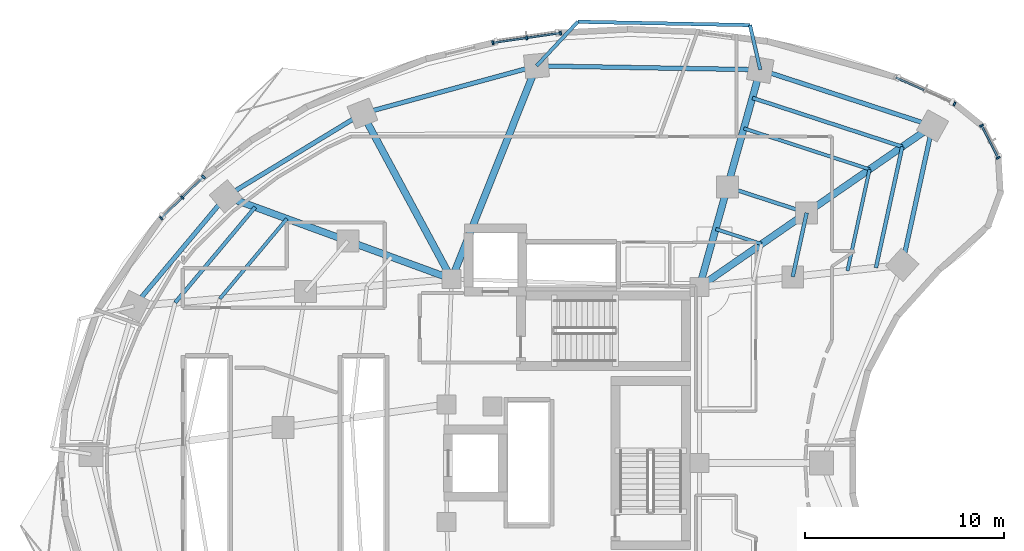
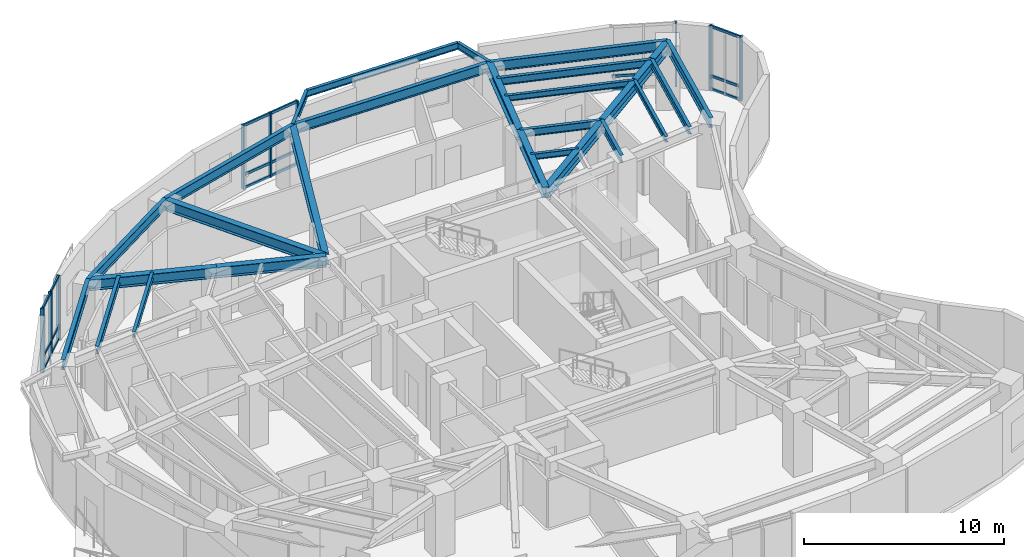
# One storey, part 4 of 13: 26 beams, 26 members, 4 elements without a shape of their own.
"""IFC4 building model written with IfcOpenShell, lengths in metres."""

from ifc_helpers import new_model, si_unit, direction, frame, origin, origin_2d, place, context, subcontext, project, spatial, rectangle, i_section, extrude, material, layer, layer_set, material_profile, profile_set, type_object, element, aggregate, save


model = new_model("IFC4")

# Units and contexts
model_context = context("Model", 3, precision=1e-05, world=origin(), true_north=direction((0.0, 1.0)))
body_context = subcontext(model_context, "Body", "Model", "MODEL_VIEW")
ifc_project = project(units=[si_unit("LENGTHUNIT", "METRE"), si_unit("AREAUNIT", "SQUARE_METRE"), si_unit("VOLUMEUNIT", "CUBIC_METRE"), si_unit("PLANEANGLEUNIT", "RADIAN"), si_unit("MASSUNIT", "GRAM", prefix="KILO")], contexts=[model_context])

# Site, building, storey
site_placement = place(None, origin())
site = spatial("IfcSite", under=ifc_project, at=site_placement, CompositionType="ELEMENT")
building_placement = place(site_placement, origin())
building = spatial("IfcBuilding", under=site, at=building_placement, Name="Korentha Bioscience Tower", CompositionType="ELEMENT")
storey_placement = place(building_placement, frame((0.0, 0.0, 123.60009765625)))
storey = spatial("IfcBuildingStorey", under=building, at=storey_placement, Name="L28", CompositionType="ELEMENT", Elevation=123.60009765625)

# Beams
ifc_material_1 = material(Name="Steel S355", Category="steel")
ifc_material_profile_1 = material_profile(ifc_material_1, i_section(OverallWidth=0.18994140625, OverallDepth=0.45703125, WebThickness=0.009033203125, FlangeThickness=0.014404296875, at=origin_2d()), Name="Steel S355")
ifc_profile_set_1 = profile_set([ifc_material_profile_1], Name="Steel S355 (MB-460)")
beam_type_1 = type_object("IfcBeamType", Name="Mid-Ring Tie Girder W460x74", PredefinedType="BEAM", material=ifc_profile_set_1)
beam_1_placement = place(storey_placement, frame((42.93603515625, 39.57470703125, 3.67138671875), z_axis=(-0.95087582253, 0.309572560361, 0.0), x_axis=(-0.309572560361, -0.95087582253, 0.0)))
element("IfcBeam", 1, at=beam_1_placement, inside=storey, type_object=beam_type_1, Name="L28 Mid-Ring Tie Girder 01", PredefinedType="BEAM", context=body_context, shape_type="SweptSolid", body=[
    extrude(i_section(OverallWidth=0.18994140625, OverallDepth=0.45703125, WebThickness=0.009033203125, FlangeThickness=0.014404296875, at=origin_2d()), origin(), (0.0, 0.0, 1.0), 4.186767578125),
])
beam_2_placement = place(storey_placement, frame((42.235595703125, 36.360595703125, 3.67138671875), z_axis=(0.212928773299, 0.977067724112, 0.0), x_axis=(-0.977067724112, 0.212928773299, 0.0)))
element("IfcBeam", 2, at=beam_2_placement, inside=storey, type_object=beam_type_1, Name="L28 Mid-Ring Tie Girder 16", PredefinedType="BEAM", context=body_context, shape_type="SweptSolid", body=[
    extrude(i_section(OverallWidth=0.18994140625, OverallDepth=0.45703125, WebThickness=0.009033203125, FlangeThickness=0.014404296875, at=origin_2d()), origin(), (0.0, 0.0, 1.0), 3.28955078125),
])

# Curtain wall, member
ifc_material_2 = material(Name="Thermally Broken Aluminium Frame", Category="aluminium")
ifc_layer = layer(ifc_material_2, 0.219970703125, Name="Thermally Broken Aluminium Frame")
ifc_layer_set = layer_set([ifc_layer], Name="Thermally Broken Aluminium Frame (CW-T2)")
curtain_wall_type = type_object("IfcCurtainWallType", Name="Solar-Screened Lab Unitised Curtain Wall CW-T2", PredefinedType="USERDEFINED", material=ifc_layer_set)
curtain_wall_1_placement = place(storey_placement, origin())
curtain_wall_1 = element("IfcCurtainWall", 3, at=curtain_wall_1_placement, inside=storey, type_object=curtain_wall_type, Name="L28 Curtain Wall 01", ObjectType="UNITISED", PredefinedType="USERDEFINED")
ifc_material_3 = material(Name="Anodised Aluminium 6063-T6", Category="aluminium")
ifc_material_profile_2 = material_profile(ifc_material_3, rectangle(XDim=0.090087890625, YDim=0.199951171875, at=origin_2d()), Name="Anodised Aluminium 6063-T6")
ifc_profile_set_2 = profile_set([ifc_material_profile_2], Name="Anodised Aluminium 6063-T6 (CW-MUL)")
member_type_1 = type_object("IfcMemberType", Name="Mullion RECT 90x200", PredefinedType="MULLION", material=ifc_profile_set_2)
member_1_placement = place(storey_placement, frame((50.364013671875, 45.0517578125, 0.0), z_axis=(0.0, 0.0, 1.0), x_axis=(-0.912686563127, 0.408660295952, 0.0)))
member_1 = element("IfcMember", 4, at=member_1_placement, type_object=member_type_1, Name="CW-L28-01 Mullion 1", PredefinedType="MULLION", context=body_context, shape_type="SweptSolid", body=[
    extrude(rectangle(XDim=0.090087890625, YDim=0.199951171875, at=origin_2d()), origin(), (0.0, 0.0, 1.0), 3.89990234375),
])

# Curtain wall, members
curtain_wall_2_placement = place(storey_placement, origin())
curtain_wall_2 = element("IfcCurtainWall", 5, at=curtain_wall_2_placement, inside=storey, type_object=curtain_wall_type, Name="L28 Curtain Wall 07", ObjectType="UNITISED", PredefinedType="USERDEFINED")
member_2_placement = place(storey_placement, frame((30.576416015625, 48.609375, 0.0), z_axis=(0.0, 0.0, 1.0), x_axis=(-0.989738282326, -0.14289203091, 0.0)))
member_2 = element("IfcMember", 6, at=member_2_placement, type_object=member_type_1, Name="CW-L28-07 Mullion 1", PredefinedType="MULLION", context=body_context, shape_type="SweptSolid", body=[
    extrude(rectangle(XDim=0.090087890625, YDim=0.199951171875, at=origin_2d()), origin(), (0.0, 0.0, 1.0), 3.89990234375),
])
member_3_placement = place(storey_placement, frame((28.873291015625, 48.363525390625, 0.0), z_axis=(0.0, 0.0, 1.0), x_axis=(-0.989738282326, -0.14289203091, 0.0)))
member_3 = element("IfcMember", 7, at=member_3_placement, type_object=member_type_1, Name="CW-L28-07 Mullion 2", PredefinedType="MULLION", context=body_context, shape_type="SweptSolid", body=[
    extrude(rectangle(XDim=0.090087890625, YDim=0.199951171875, at=origin_2d()), origin(), (0.0, 0.0, 1.0), 3.89990234375),
])
member_4_placement = place(storey_placement, frame((27.170166015625, 48.11767578125, 0.0), z_axis=(0.0, 0.0, 1.0), x_axis=(-0.989738282326, -0.14289203091, 0.0)))
member_4 = element("IfcMember", 8, at=member_4_placement, type_object=member_type_1, Name="CW-L28-07 Mullion 3", PredefinedType="MULLION", context=body_context, shape_type="SweptSolid", body=[
    extrude(rectangle(XDim=0.090087890625, YDim=0.199951171875, at=origin_2d()), origin(), (0.0, 0.0, 1.0), 3.89990234375),
])

curtain_wall_3_placement = place(storey_placement, origin())
curtain_wall_3 = element("IfcCurtainWall", 9, at=curtain_wall_3_placement, inside=storey, type_object=curtain_wall_type, Name="L28 Curtain Wall 13", ObjectType="UNITISED", PredefinedType="USERDEFINED")
member_5_placement = place(storey_placement, frame((12.631103515625, 41.377197265625, 0.0), z_axis=(0.0, 0.0, 1.0), x_axis=(-0.716095631804, -0.698002182025, 0.0)))
member_5 = element("IfcMember", 10, at=member_5_placement, type_object=member_type_1, Name="CW-L28-13 Mullion 1", PredefinedType="MULLION", context=body_context, shape_type="SweptSolid", body=[
    extrude(rectangle(XDim=0.090087890625, YDim=0.199951171875, at=origin_2d()), origin(), (0.0, 0.0, 1.0), 3.89990234375),
])
member_6_placement = place(storey_placement, frame((11.56689453125, 40.340087890625, 0.0), z_axis=(0.0, 0.0, 1.0), x_axis=(-0.716095631804, -0.698002182025, 0.0)))
member_6 = element("IfcMember", 11, at=member_6_placement, type_object=member_type_1, Name="CW-L28-13 Mullion 2", PredefinedType="MULLION", context=body_context, shape_type="SweptSolid", body=[
    extrude(rectangle(XDim=0.090087890625, YDim=0.199951171875, at=origin_2d()), origin(), (0.0, 0.0, 1.0), 3.89990234375),
])
member_7_placement = place(storey_placement, frame((10.5029296875, 39.302734375, 0.0), z_axis=(0.0, 0.0, 1.0), x_axis=(-0.716095631804, -0.698002182025, 0.0)))
member_7 = element("IfcMember", 12, at=member_7_placement, type_object=member_type_1, Name="CW-L28-13 Mullion 3", PredefinedType="MULLION", context=body_context, shape_type="SweptSolid", body=[
    extrude(rectangle(XDim=0.090087890625, YDim=0.199951171875, at=origin_2d()), origin(), (0.0, 0.0, 1.0), 3.89990234375),
])

curtain_wall_4_placement = place(storey_placement, origin())
curtain_wall_4 = element("IfcCurtainWall", 13, at=curtain_wall_4_placement, inside=storey, type_object=curtain_wall_type, Name="L28 Curtain Wall 61", ObjectType="UNITISED", PredefinedType="USERDEFINED")
member_8_placement = place(storey_placement, frame((52.55859375, 42.337158203125, 0.0), z_axis=(0.0, 0.0, 1.0), x_axis=(-0.457613117169, 0.889151412862, 0.0)))
member_8 = element("IfcMember", 14, at=member_8_placement, type_object=member_type_1, Name="CW-L28-61 Mullion 1", PredefinedType="MULLION", context=body_context, shape_type="SweptSolid", body=[
    extrude(rectangle(XDim=0.090087890625, YDim=0.199951171875, at=origin_2d()), origin(), (0.0, 0.0, 1.0), 3.89990234375),
])
member_9_placement = place(storey_placement, frame((51.722412109375, 43.962158203125, 0.0), z_axis=(0.0, 0.0, 1.0), x_axis=(-0.457613117169, 0.889151412862, 0.0)))
member_9 = element("IfcMember", 15, at=member_9_placement, type_object=member_type_1, Name="CW-L28-61 Mullion 2", PredefinedType="MULLION", context=body_context, shape_type="SweptSolid", body=[
    extrude(rectangle(XDim=0.090087890625, YDim=0.199951171875, at=origin_2d()), origin(), (0.0, 0.0, 1.0), 3.89990234375),
])

# Beams
ifc_material_profile_3 = material_profile(ifc_material_1, i_section(OverallWidth=0.22802734375, OverallDepth=0.60791015625, WebThickness=0.01123046875, FlangeThickness=0.017333984375, at=origin_2d()), Name="Steel S355")
ifc_profile_set_3 = profile_set([ifc_material_profile_3], Name="Steel S355 (SB-610)")
beam_type_2 = type_object("IfcBeamType", Name="Perimeter Ring Spandrel Girder W610x113", PredefinedType="SPANDREL", material=ifc_profile_set_3)
beam_3_placement = place(storey_placement, frame((49.2587890625, 43.947021484375, 3.595947265625), z_axis=(-0.950867758759, 0.309597327755, 0.0), x_axis=(-0.309597327755, -0.950867758759, 0.0)))
element("IfcBeam", 16, at=beam_3_placement, inside=storey, type_object=beam_type_2, Name="L28 Perimeter Spandrel Girder 01", PredefinedType="SPANDREL", context=body_context, shape_type="SweptSolid", body=[
    extrude(i_section(OverallWidth=0.22802734375, OverallDepth=0.60791015625, WebThickness=0.01123046875, FlangeThickness=0.017333984375, at=origin_2d()), origin(), (0.0, 0.0, 1.0), 9.101806640625),
])
beam_4_placement = place(storey_placement, frame((40.604248046875, 46.764892578125, 3.595947265625), z_axis=(-0.999850566826, 0.017287105523, 0.0), x_axis=(-0.017287105523, -0.999850566826, 0.0)))
element("IfcBeam", 17, at=beam_4_placement, inside=storey, type_object=beam_type_2, Name="L28 Perimeter Spandrel Girder 02", PredefinedType="SPANDREL", context=body_context, shape_type="SweptSolid", body=[
    extrude(i_section(OverallWidth=0.22802734375, OverallDepth=0.60791015625, WebThickness=0.01123046875, FlangeThickness=0.017333984375, at=origin_2d()), origin(), (0.0, 0.0, 1.0), 11.24169921875),
])
beam_5_placement = place(storey_placement, frame((29.3642578125, 46.959228515625, 3.595947265625), z_axis=(-0.964659386444, -0.263500034431, 0.0), x_axis=(0.263500034431, -0.964659386444, 0.0)))
element("IfcBeam", 18, at=beam_5_placement, inside=storey, type_object=beam_type_2, Name="L28 Perimeter Spandrel Girder 03", PredefinedType="SPANDREL", context=body_context, shape_type="SweptSolid", body=[
    extrude(i_section(OverallWidth=0.22802734375, OverallDepth=0.60791015625, WebThickness=0.01123046875, FlangeThickness=0.017333984375, at=origin_2d()), origin(), (0.0, 0.0, 1.0), 9.06982421875),
])
beam_6_placement = place(storey_placement, frame((20.614990234375, 44.5693359375, 3.595947265625), z_axis=(-0.854461040474, -0.51951547649, 0.0), x_axis=(0.51951547649, -0.854461040474, 0.0)))
element("IfcBeam", 19, at=beam_6_placement, inside=storey, type_object=beam_type_2, Name="L28 Perimeter Spandrel Girder 04", PredefinedType="SPANDREL", context=body_context, shape_type="SweptSolid", body=[
    extrude(i_section(OverallWidth=0.22802734375, OverallDepth=0.60791015625, WebThickness=0.01123046875, FlangeThickness=0.017333984375, at=origin_2d()), origin(), (0.0, 0.0, 1.0), 8.025146484375),
])
beam_7_placement = place(storey_placement, frame((13.7578125, 40.400146484375, 3.595947265625), z_axis=(-0.642126556076, -0.76659864726, 0.0), x_axis=(0.76659864726, -0.642126556076, 0.0)))
element("IfcBeam", 20, at=beam_7_placement, inside=storey, type_object=beam_type_2, Name="L28 Perimeter Spandrel Girder 05", PredefinedType="SPANDREL", context=body_context, shape_type="SweptSolid", body=[
    extrude(i_section(OverallWidth=0.22802734375, OverallDepth=0.60791015625, WebThickness=0.01123046875, FlangeThickness=0.017333984375, at=origin_2d()), origin(), (0.0, 0.0, 1.0), 7.1884765625),
])
beam_8_placement = place(storey_placement, frame((47.736083984375, 36.959716796875, 3.595947265625), z_axis=(0.212927102256, 0.977068088275, 0.0), x_axis=(-0.977068088275, 0.212927102256, 0.0)))
element("IfcBeam", 21, at=beam_8_placement, inside=storey, type_object=beam_type_2, Name="L28 Perimeter Spandrel Girder 16", PredefinedType="SPANDREL", context=body_context, shape_type="SweptSolid", body=[
    extrude(i_section(OverallWidth=0.22802734375, OverallDepth=0.60791015625, WebThickness=0.01123046875, FlangeThickness=0.017333984375, at=origin_2d()), origin(), (0.0, 0.0, 1.0), 7.1513671875),
])
ifc_material_profile_4 = material_profile(ifc_material_1, i_section(OverallWidth=0.18994140625, OverallDepth=0.45703125, WebThickness=0.009033203125, FlangeThickness=0.014404296875, at=origin_2d()), Name="Steel S355")
ifc_profile_set_4 = profile_set([ifc_material_profile_4], Name="Steel S355 (RB-460)")
beam_type_3 = type_object("IfcBeamType", Name="Radial Laboratory Beam W460x74", PredefinedType="BEAM", material=ifc_profile_set_4)
beam_9_placement = place(storey_placement, frame((47.7412109375, 42.8974609375, 3.67138671875), z_axis=(-0.950866789802, 0.3096003037, 0.0), x_axis=(-0.3096003037, -0.950866789802, 0.0)))
element("IfcBeam", 22, at=beam_9_placement, inside=storey, type_object=beam_type_3, Name="L28 Secondary Floor Beam JSTO-01", PredefinedType="BEAM", context=body_context, shape_type="SweptSolid", body=[
    extrude(i_section(OverallWidth=0.18994140625, OverallDepth=0.45703125, WebThickness=0.009033203125, FlangeThickness=0.014404296875, at=origin_2d()), origin(), (0.0, 0.0, 1.0), 7.921875),
])
beam_10_placement = place(storey_placement, frame((15.227783203125, 39.8623046875, 3.67138671875), z_axis=(-0.642128156066, -0.766597307057, 0.0), x_axis=(0.766597307057, -0.642128156066, 0.0)))
element("IfcBeam", 23, at=beam_10_placement, inside=storey, type_object=beam_type_3, Name="L28 Secondary Floor Beam JSTO-05", PredefinedType="BEAM", context=body_context, shape_type="SweptSolid", body=[
    extrude(i_section(OverallWidth=0.18994140625, OverallDepth=0.45703125, WebThickness=0.009033203125, FlangeThickness=0.014404296875, at=origin_2d()), origin(), (0.0, 0.0, 1.0), 6.257080078125),
])
beam_11_placement = place(storey_placement, frame((46.416015625, 36.81591796875, 3.67138671875), z_axis=(0.21290837934, 0.977072168269, 0.0), x_axis=(-0.977072168269, 0.21290837934, 0.0)))
element("IfcBeam", 24, at=beam_11_placement, inside=storey, type_object=beam_type_3, Name="L28 Secondary Floor Beam JSTO-16", PredefinedType="BEAM", context=body_context, shape_type="SweptSolid", body=[
    extrude(i_section(OverallWidth=0.18994140625, OverallDepth=0.45703125, WebThickness=0.009033203125, FlangeThickness=0.014404296875, at=origin_2d()), origin(), (0.0, 0.0, 1.0), 6.224365234375),
])
ifc_material_profile_5 = material_profile(ifc_material_1, i_section(OverallWidth=0.35009765625, OverallDepth=0.64990234375, WebThickness=0.01611328125, FlangeThickness=0.02490234375, at=origin_2d()), Name="Steel S355")
ifc_profile_set_5 = profile_set([ifc_material_profile_5], Name="Steel S355 (RB-650)")
beam_type_4 = type_object("IfcBeamType", Name="Radial Laboratory Girder CVS 650x208", PredefinedType="BEAM", material=ifc_profile_set_5)
beam_12_placement = place(storey_placement, frame((37.550048828125, 35.85009765625, 3.574951171875), z_axis=(0.822488699387, 0.568781451333, 0.0), x_axis=(-0.568781451333, 0.822488699387, 0.0)))
element("IfcBeam", 25, at=beam_12_placement, inside=storey, type_object=beam_type_4, Name="L28 Inner Radial Girder 01", PredefinedType="BEAM", context=body_context, shape_type="SweptSolid", body=[
    extrude(i_section(OverallWidth=0.35009765625, OverallDepth=0.64990234375, WebThickness=0.01611328125, FlangeThickness=0.02490234375, at=origin_2d()), origin(), (0.0, 0.0, 1.0), 6.54833984375),
])
beam_13_placement = place(storey_placement, frame((42.93603515625, 39.57470703125, 3.574951171875), z_axis=(0.822495056204, 0.568772258922, 0.0), x_axis=(-0.568772258922, 0.822495056204, 0.0)))
element("IfcBeam", 26, at=beam_13_placement, inside=storey, type_object=beam_type_4, Name="L28 Outer Radial Girder 01", PredefinedType="BEAM", context=body_context, shape_type="SweptSolid", body=[
    extrude(i_section(OverallWidth=0.35009765625, OverallDepth=0.64990234375, WebThickness=0.01611328125, FlangeThickness=0.02490234375, at=origin_2d()), origin(), (0.0, 0.0, 1.0), 7.687255859375),
])
beam_14_placement = place(storey_placement, frame((37.550048828125, 35.85009765625, 3.574951171875), z_axis=(0.269447542125, 0.96301506844, 0.0), x_axis=(-0.96301506844, 0.269447542125, 0.0)))
element("IfcBeam", 27, at=beam_14_placement, inside=storey, type_object=beam_type_4, Name="L28 Inner Radial Girder 02", PredefinedType="BEAM", context=body_context, shape_type="SweptSolid", body=[
    extrude(i_section(OverallWidth=0.35009765625, OverallDepth=0.64990234375, WebThickness=0.01611328125, FlangeThickness=0.02490234375, at=origin_2d()), origin(), (0.0, 0.0, 1.0), 5.213623046875),
])
beam_15_placement = place(storey_placement, frame((38.954833984375, 40.870849609375, 3.574951171875), z_axis=(0.269490843458, 0.963002951861, 0.0), x_axis=(-0.963002951861, 0.269490843458, 0.0)))
element("IfcBeam", 28, at=beam_15_placement, inside=storey, type_object=beam_type_4, Name="L28 Outer Radial Girder 02", PredefinedType="BEAM", context=body_context, shape_type="SweptSolid", body=[
    extrude(i_section(OverallWidth=0.35009765625, OverallDepth=0.64990234375, WebThickness=0.01611328125, FlangeThickness=0.02490234375, at=origin_2d()), origin(), (0.0, 0.0, 1.0), 6.120361328125),
])
beam_16_placement = place(storey_placement, frame((25.10009765625, 36.25, 3.574951171875), z_axis=(0.369929528493, 0.929059817207, 0.0), x_axis=(-0.929059817207, 0.369929528493, 0.0)))
element("IfcBeam", 29, at=beam_16_placement, inside=storey, type_object=beam_type_4, Name="L28 Radial Girder 03", PredefinedType="BEAM", context=body_context, shape_type="SweptSolid", body=[
    extrude(i_section(OverallWidth=0.35009765625, OverallDepth=0.64990234375, WebThickness=0.01611328125, FlangeThickness=0.02490234375, at=origin_2d()), origin(), (0.0, 0.0, 1.0), 11.52685546875),
])
beam_17_placement = place(storey_placement, frame((25.10009765625, 36.25, 3.574951171875), z_axis=(-0.474548018732, 0.880229616587, 0.0), x_axis=(-0.880229616587, -0.474548018732, 0.0)))
element("IfcBeam", 30, at=beam_17_placement, inside=storey, type_object=beam_type_4, Name="L28 Radial Girder 04", PredefinedType="BEAM", context=body_context, shape_type="SweptSolid", body=[
    extrude(i_section(OverallWidth=0.35009765625, OverallDepth=0.64990234375, WebThickness=0.01611328125, FlangeThickness=0.02490234375, at=origin_2d()), origin(), (0.0, 0.0, 1.0), 9.451416015625),
])
beam_18_placement = place(storey_placement, frame((25.10009765625, 36.25, 3.574951171875), z_axis=(-0.939118010396, 0.343594765022, 0.0), x_axis=(-0.343594765022, -0.939118010396, 0.0)))
element("IfcBeam", 31, at=beam_18_placement, inside=storey, type_object=beam_type_4, Name="L28 Inner Radial Girder 05", PredefinedType="BEAM", context=body_context, shape_type="SweptSolid", body=[
    extrude(i_section(OverallWidth=0.35009765625, OverallDepth=0.64990234375, WebThickness=0.01611328125, FlangeThickness=0.02490234375, at=origin_2d()), origin(), (0.0, 0.0, 1.0), 5.5556640625),
])
beam_19_placement = place(storey_placement, frame((19.882568359375, 38.158935546875, 3.574951171875), z_axis=(-0.939100755225, 0.343641923425, 0.0), x_axis=(-0.343641923425, -0.939100755225, 0.0)))
element("IfcBeam", 32, at=beam_19_placement, inside=storey, type_object=beam_type_4, Name="L28 Outer Radial Girder 05", PredefinedType="BEAM", context=body_context, shape_type="SweptSolid", body=[
    extrude(i_section(OverallWidth=0.35009765625, OverallDepth=0.64990234375, WebThickness=0.01611328125, FlangeThickness=0.02490234375, at=origin_2d()), origin(), (0.0, 0.0, 1.0), 6.52197265625),
])
ifc_material_profile_6 = material_profile(ifc_material_1, i_section(OverallWidth=0.1708984375, OverallDepth=0.35498046875, WebThickness=0.007080078125, FlangeThickness=0.01171875, at=origin_2d()), Name="Steel S355")
ifc_profile_set_6 = profile_set([ifc_material_profile_6], Name="Steel S355 (JB-360)")
beam_type_5 = type_object("IfcBeamType", Name="Secondary Laboratory Joist W360x51", PredefinedType="JOIST", material=ifc_profile_set_6)
beam_20_placement = place(storey_placement, frame((46.097412109375, 41.7607421875, 3.722412109375), z_axis=(-0.950864890997, 0.309606135387, 0.0), x_axis=(-0.309606135387, -0.950864890997, 0.0)))
element("IfcBeam", 33, at=beam_20_placement, inside=storey, type_object=beam_type_5, Name="L28 Secondary Floor Beam JST-01", PredefinedType="JOIST", context=body_context, shape_type="SweptSolid", body=[
    extrude(i_section(OverallWidth=0.1708984375, OverallDepth=0.35498046875, WebThickness=0.007080078125, FlangeThickness=0.01171875, at=origin_2d()), origin(), (0.0, 0.0, 1.0), 6.644287109375),
])
beam_21_placement = place(storey_placement, frame((40.673828125, 38.01025390625, 3.722412109375), z_axis=(-0.950852158547, 0.30964523666, 0.0), x_axis=(-0.30964523666, -0.950852158547, 0.0)))
element("IfcBeam", 34, at=beam_21_placement, inside=storey, type_object=beam_type_5, Name="L28 Inner Bay Joist 01", PredefinedType="JOIST", context=body_context, shape_type="SweptSolid", body=[
    extrude(i_section(OverallWidth=0.1708984375, OverallDepth=0.35498046875, WebThickness=0.007080078125, FlangeThickness=0.01171875, at=origin_2d()), origin(), (0.0, 0.0, 1.0), 2.428466796875),
])
beam_22_placement = place(storey_placement, frame((16.8203125, 39.279541015625, 3.722412109375), z_axis=(-0.642140812018, -0.76658670582, 0.0), x_axis=(0.76658670582, -0.642140812018, 0.0)))
element("IfcBeam", 35, at=beam_22_placement, inside=storey, type_object=beam_type_5, Name="L28 Secondary Floor Beam JST-05", PredefinedType="JOIST", context=body_context, shape_type="SweptSolid", body=[
    extrude(i_section(OverallWidth=0.1708984375, OverallDepth=0.35498046875, WebThickness=0.007080078125, FlangeThickness=0.01171875, at=origin_2d()), origin(), (0.0, 0.0, 1.0), 5.247802734375),
])
beam_23_placement = place(storey_placement, frame((44.98583984375, 36.66015625, 3.722412109375), z_axis=(0.212932493609, 0.977066913351, 0.0), x_axis=(-0.977066913351, 0.212932493609, 0.0)))
element("IfcBeam", 36, at=beam_23_placement, inside=storey, type_object=beam_type_5, Name="L28 Secondary Floor Beam JST-16", PredefinedType="JOIST", context=body_context, shape_type="SweptSolid", body=[
    extrude(i_section(OverallWidth=0.1708984375, OverallDepth=0.35498046875, WebThickness=0.007080078125, FlangeThickness=0.01171875, at=origin_2d()), origin(), (0.0, 0.0, 1.0), 5.22021484375),
])
ifc_material_profile_7 = material_profile(ifc_material_1, i_section(OverallWidth=0.177978515625, OverallDepth=0.406982421875, WebThickness=0.0078125, FlangeThickness=0.0126953125, at=origin_2d()), Name="Steel S355")
ifc_profile_set_7 = profile_set([ifc_material_profile_7], Name="Steel S355 (CB-410)")
beam_type_6 = type_object("IfcBeamType", Name="Sun-Ledge Cantilever Beam W410x60", PredefinedType="BEAM", material=ifc_profile_set_7)
beam_24_placement = place(storey_placement, frame((40.604248046875, 46.764892578125, 3.698486328125), z_axis=(-0.223355143681, 0.974737133688, 0.0), x_axis=(-0.974737133688, -0.223355143681, 0.0)))
element("IfcBeam", 37, at=beam_24_placement, inside=storey, type_object=beam_type_6, Name="L28 Balcony Cantilever Bracket A-L29-01", PredefinedType="BEAM", context=body_context, shape_type="SweptSolid", body=[
    extrude(i_section(OverallWidth=0.177978515625, OverallDepth=0.406982421875, WebThickness=0.0078125, FlangeThickness=0.0126953125, at=origin_2d()), origin(), (0.0, 0.0, 1.0), 2.2998046875),
])
beam_25_placement = place(storey_placement, frame((29.3642578125, 46.959228515625, 3.698486328125), z_axis=(0.683612079986, 0.729845548111, 0.0), x_axis=(-0.729845548111, 0.683612079986, 0.0)))
element("IfcBeam", 38, at=beam_25_placement, inside=storey, type_object=beam_type_6, Name="L28 Balcony Cantilever Bracket B-L29-01", PredefinedType="BEAM", context=body_context, shape_type="SweptSolid", body=[
    extrude(i_section(OverallWidth=0.177978515625, OverallDepth=0.406982421875, WebThickness=0.0078125, FlangeThickness=0.0126953125, at=origin_2d()), origin(), (0.0, 0.0, 1.0), 3.036376953125),
])
beam_26_placement = place(storey_placement, frame((40.090576171875, 49.006591796875, 3.698486328125), z_axis=(-0.999809898127, 0.019497887269, 0.0), x_axis=(-0.019497887269, -0.999809898127, 0.0)))
element("IfcBeam", 39, at=beam_26_placement, inside=storey, type_object=beam_type_6, Name="L28 Balcony Edge Trimmer Beam L29-01", PredefinedType="BEAM", context=body_context, shape_type="SweptSolid", body=[
    extrude(i_section(OverallWidth=0.177978515625, OverallDepth=0.406982421875, WebThickness=0.0078125, FlangeThickness=0.0126953125, at=origin_2d()), origin(), (0.0, 0.0, 1.0), 8.65234375),
])

# Member
ifc_material_profile_8 = material_profile(ifc_material_3, rectangle(XDim=0.090087890625, YDim=0.159912109375, at=origin_2d()), Name="Anodised Aluminium 6063-T6")
ifc_profile_set_8 = profile_set([ifc_material_profile_8], Name="Anodised Aluminium 6063-T6 (CW-TRN)")
member_type_2 = type_object("IfcMemberType", Name="Transom RECT 90x160", PredefinedType="USERDEFINED", material=ifc_profile_set_8)
member_10_placement = place(storey_placement, frame((48.830322265625, 45.738525390625, 0.044921875), z_axis=(-0.912667864607, 0.408702053962, 0.0), x_axis=(-0.408702053962, -0.912667864607, 0.0)))
member_10 = element("IfcMember", 40, at=member_10_placement, type_object=member_type_2, Name="CW-L28-01 Bay 2 Transom 1", ObjectType="TRANSOM", PredefinedType="USERDEFINED", context=body_context, shape_type="SweptSolid", body=[
    extrude(rectangle(XDim=0.090087890625, YDim=0.159912109375, at=origin_2d()), origin(), (0.0, 0.0, 1.0), 1.54541015625),
])

member_11_placement = place(storey_placement, frame((48.830322265625, 45.738525390625, 0.849853515625), z_axis=(-0.912667864607, 0.408702053962, 0.0), x_axis=(-0.408702053962, -0.912667864607, 0.0)))
member_11 = element("IfcMember", 41, at=member_11_placement, type_object=member_type_2, Name="CW-L28-01 Bay 2 Transom 2", ObjectType="TRANSOM", PredefinedType="USERDEFINED", context=body_context, shape_type="SweptSolid", body=[
    extrude(rectangle(XDim=0.090087890625, YDim=0.159912109375, at=origin_2d()), origin(), (0.0, 0.0, 1.0), 1.54541015625),
])

aggregate(curtain_wall_1, [member_1, member_10, member_11])

member_12_placement = place(storey_placement, frame((30.53173828125, 48.602783203125, 0.044921875), z_axis=(-0.989747883164, -0.142825515132, 0.0), x_axis=(0.142825515132, -0.989747883164, 0.0)))
member_12 = element("IfcMember", 42, at=member_12_placement, type_object=member_type_2, Name="CW-L28-07 Bay 1 Transom 1", ObjectType="TRANSOM", PredefinedType="USERDEFINED", context=body_context, shape_type="SweptSolid", body=[
    extrude(rectangle(XDim=0.090087890625, YDim=0.159912109375, at=origin_2d()), origin(), (0.0, 0.0, 1.0), 1.630615234375),
])

member_13_placement = place(storey_placement, frame((30.53173828125, 48.602783203125, 0.849853515625), z_axis=(-0.989747883164, -0.142825515132, 0.0), x_axis=(0.142825515132, -0.989747883164, 0.0)))
member_13 = element("IfcMember", 43, at=member_13_placement, type_object=member_type_2, Name="CW-L28-07 Bay 1 Transom 2", ObjectType="TRANSOM", PredefinedType="USERDEFINED", context=body_context, shape_type="SweptSolid", body=[
    extrude(rectangle(XDim=0.090087890625, YDim=0.159912109375, at=origin_2d()), origin(), (0.0, 0.0, 1.0), 1.630615234375),
])

member_14_placement = place(storey_placement, frame((30.53173828125, 48.602783203125, 3.85498046875), z_axis=(-0.989747883164, -0.142825515132, 0.0), x_axis=(0.142825515132, -0.989747883164, 0.0)))
member_14 = element("IfcMember", 44, at=member_14_placement, type_object=member_type_2, Name="CW-L28-07 Bay 1 Transom 3", ObjectType="TRANSOM", PredefinedType="USERDEFINED", context=body_context, shape_type="SweptSolid", body=[
    extrude(rectangle(XDim=0.090087890625, YDim=0.159912109375, at=origin_2d()), origin(), (0.0, 0.0, 1.0), 1.630615234375),
])

member_15_placement = place(storey_placement, frame((28.82861328125, 48.357177734375, 0.044921875), z_axis=(-0.989723648346, -0.142993356153, 0.0), x_axis=(0.142993356153, -0.989723648346, 0.0)))
member_15 = element("IfcMember", 45, at=member_15_placement, type_object=member_type_2, Name="CW-L28-07 Bay 2 Transom 1", ObjectType="TRANSOM", PredefinedType="USERDEFINED", context=body_context, shape_type="SweptSolid", body=[
    extrude(rectangle(XDim=0.090087890625, YDim=0.159912109375, at=origin_2d()), origin(), (0.0, 0.0, 1.0), 1.630615234375),
])

member_16_placement = place(storey_placement, frame((28.82861328125, 48.357177734375, 0.849853515625), z_axis=(-0.989723648346, -0.142993356153, 0.0), x_axis=(0.142993356153, -0.989723648346, 0.0)))
member_16 = element("IfcMember", 46, at=member_16_placement, type_object=member_type_2, Name="CW-L28-07 Bay 2 Transom 2", ObjectType="TRANSOM", PredefinedType="USERDEFINED", context=body_context, shape_type="SweptSolid", body=[
    extrude(rectangle(XDim=0.090087890625, YDim=0.159912109375, at=origin_2d()), origin(), (0.0, 0.0, 1.0), 1.630615234375),
])

member_17_placement = place(storey_placement, frame((28.82861328125, 48.357177734375, 3.85498046875), z_axis=(-0.989723648346, -0.142993356153, 0.0), x_axis=(0.142993356153, -0.989723648346, 0.0)))
member_17 = element("IfcMember", 47, at=member_17_placement, type_object=member_type_2, Name="CW-L28-07 Bay 2 Transom 3", ObjectType="TRANSOM", PredefinedType="USERDEFINED", context=body_context, shape_type="SweptSolid", body=[
    extrude(rectangle(XDim=0.090087890625, YDim=0.159912109375, at=origin_2d()), origin(), (0.0, 0.0, 1.0), 1.630615234375),
])

aggregate(curtain_wall_2, [member_2, member_3, member_4, member_12, member_13, member_14, member_15, member_16, member_17])

member_18_placement = place(storey_placement, frame((12.598876953125, 41.345703125, 0.044921875), z_axis=(-0.716142170971, -0.697954433296, 0.0), x_axis=(0.697954433296, -0.716142170971, 0.0)))
member_18 = element("IfcMember", 48, at=member_18_placement, type_object=member_type_2, Name="CW-L28-13 Bay 1 Transom 1", ObjectType="TRANSOM", PredefinedType="USERDEFINED", context=body_context, shape_type="SweptSolid", body=[
    extrude(rectangle(XDim=0.090087890625, YDim=0.159912109375, at=origin_2d()), origin(), (0.0, 0.0, 1.0), 1.39599609375),
])

member_19_placement = place(storey_placement, frame((12.598876953125, 41.345703125, 0.849853515625), z_axis=(-0.716142170971, -0.697954433296, 0.0), x_axis=(0.697954433296, -0.716142170971, 0.0)))
member_19 = element("IfcMember", 49, at=member_19_placement, type_object=member_type_2, Name="CW-L28-13 Bay 1 Transom 2", ObjectType="TRANSOM", PredefinedType="USERDEFINED", context=body_context, shape_type="SweptSolid", body=[
    extrude(rectangle(XDim=0.090087890625, YDim=0.159912109375, at=origin_2d()), origin(), (0.0, 0.0, 1.0), 1.39599609375),
])

member_20_placement = place(storey_placement, frame((12.598876953125, 41.345703125, 3.85498046875), z_axis=(-0.716142170971, -0.697954433296, 0.0), x_axis=(0.697954433296, -0.716142170971, 0.0)))
member_20 = element("IfcMember", 50, at=member_20_placement, type_object=member_type_2, Name="CW-L28-13 Bay 1 Transom 3", ObjectType="TRANSOM", PredefinedType="USERDEFINED", context=body_context, shape_type="SweptSolid", body=[
    extrude(rectangle(XDim=0.090087890625, YDim=0.159912109375, at=origin_2d()), origin(), (0.0, 0.0, 1.0), 1.39599609375),
])

member_21_placement = place(storey_placement, frame((11.534912109375, 40.30859375, 0.044921875), z_axis=(-0.716142170971, -0.697954433296, 0.0), x_axis=(0.697954433296, -0.716142170971, 0.0)))
member_21 = element("IfcMember", 51, at=member_21_placement, type_object=member_type_2, Name="CW-L28-13 Bay 2 Transom 1", ObjectType="TRANSOM", PredefinedType="USERDEFINED", context=body_context, shape_type="SweptSolid", body=[
    extrude(rectangle(XDim=0.090087890625, YDim=0.159912109375, at=origin_2d()), origin(), (0.0, 0.0, 1.0), 1.39599609375),
])

member_22_placement = place(storey_placement, frame((11.534912109375, 40.30859375, 0.849853515625), z_axis=(-0.716142170971, -0.697954433296, 0.0), x_axis=(0.697954433296, -0.716142170971, 0.0)))
member_22 = element("IfcMember", 52, at=member_22_placement, type_object=member_type_2, Name="CW-L28-13 Bay 2 Transom 2", ObjectType="TRANSOM", PredefinedType="USERDEFINED", context=body_context, shape_type="SweptSolid", body=[
    extrude(rectangle(XDim=0.090087890625, YDim=0.159912109375, at=origin_2d()), origin(), (0.0, 0.0, 1.0), 1.39599609375),
])

member_23_placement = place(storey_placement, frame((11.534912109375, 40.30859375, 3.85498046875), z_axis=(-0.716142170971, -0.697954433296, 0.0), x_axis=(0.697954433296, -0.716142170971, 0.0)))
member_23 = element("IfcMember", 53, at=member_23_placement, type_object=member_type_2, Name="CW-L28-13 Bay 2 Transom 3", ObjectType="TRANSOM", PredefinedType="USERDEFINED", context=body_context, shape_type="SweptSolid", body=[
    extrude(rectangle(XDim=0.090087890625, YDim=0.159912109375, at=origin_2d()), origin(), (0.0, 0.0, 1.0), 1.39599609375),
])

aggregate(curtain_wall_3, [member_5, member_6, member_7, member_18, member_19, member_20, member_21, member_22, member_23])

member_24_placement = place(storey_placement, frame((52.5380859375, 42.377197265625, 0.044921875), z_axis=(-0.457636897633, 0.889139173541, 0.0), x_axis=(-0.889139173541, -0.457636897633, 0.0)))
member_24 = element("IfcMember", 54, at=member_24_placement, type_object=member_type_2, Name="CW-L28-61 Bay 1 Transom 1", ObjectType="TRANSOM", PredefinedType="USERDEFINED", context=body_context, shape_type="SweptSolid", body=[
    extrude(rectangle(XDim=0.090087890625, YDim=0.159912109375, at=origin_2d()), origin(), (0.0, 0.0, 1.0), 1.737548828125),
])

member_25_placement = place(storey_placement, frame((52.5380859375, 42.377197265625, 0.849853515625), z_axis=(-0.457636897633, 0.889139173541, 0.0), x_axis=(-0.889139173541, -0.457636897633, 0.0)))
member_25 = element("IfcMember", 55, at=member_25_placement, type_object=member_type_2, Name="CW-L28-61 Bay 1 Transom 2", ObjectType="TRANSOM", PredefinedType="USERDEFINED", context=body_context, shape_type="SweptSolid", body=[
    extrude(rectangle(XDim=0.090087890625, YDim=0.159912109375, at=origin_2d()), origin(), (0.0, 0.0, 1.0), 1.737548828125),
])

member_26_placement = place(storey_placement, frame((52.5380859375, 42.377197265625, 3.85498046875), z_axis=(-0.457636897633, 0.889139173541, 0.0), x_axis=(-0.889139173541, -0.457636897633, 0.0)))
member_26 = element("IfcMember", 56, at=member_26_placement, type_object=member_type_2, Name="CW-L28-61 Bay 1 Transom 3", ObjectType="TRANSOM", PredefinedType="USERDEFINED", context=body_context, shape_type="SweptSolid", body=[
    extrude(rectangle(XDim=0.090087890625, YDim=0.159912109375, at=origin_2d()), origin(), (0.0, 0.0, 1.0), 1.737548828125),
])

aggregate(curtain_wall_4, [member_8, member_9, member_24, member_25, member_26])

save(model, "model.ifc")
